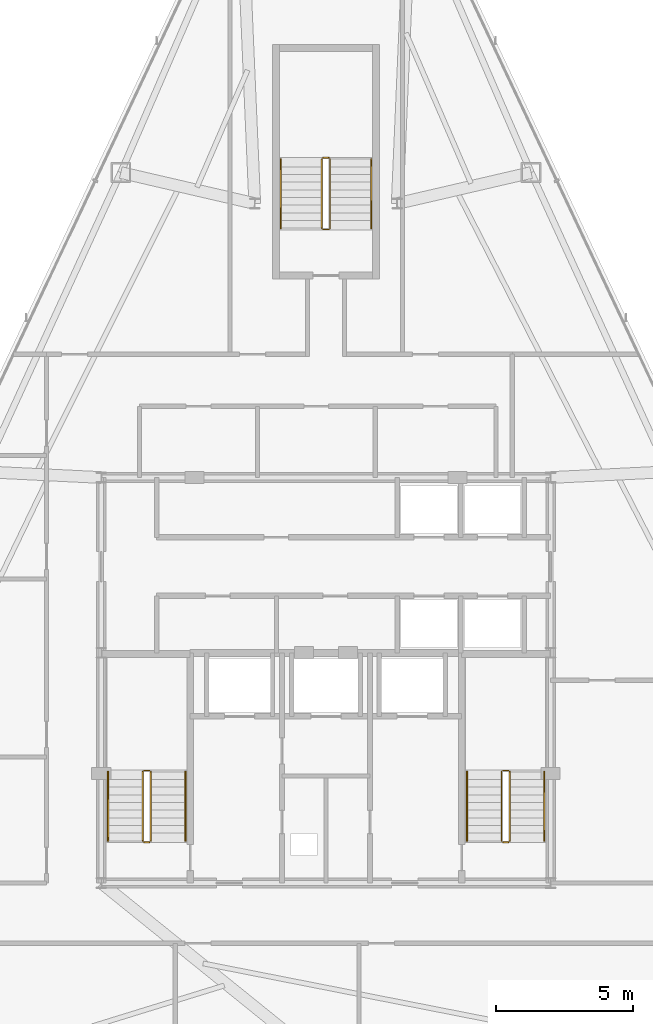
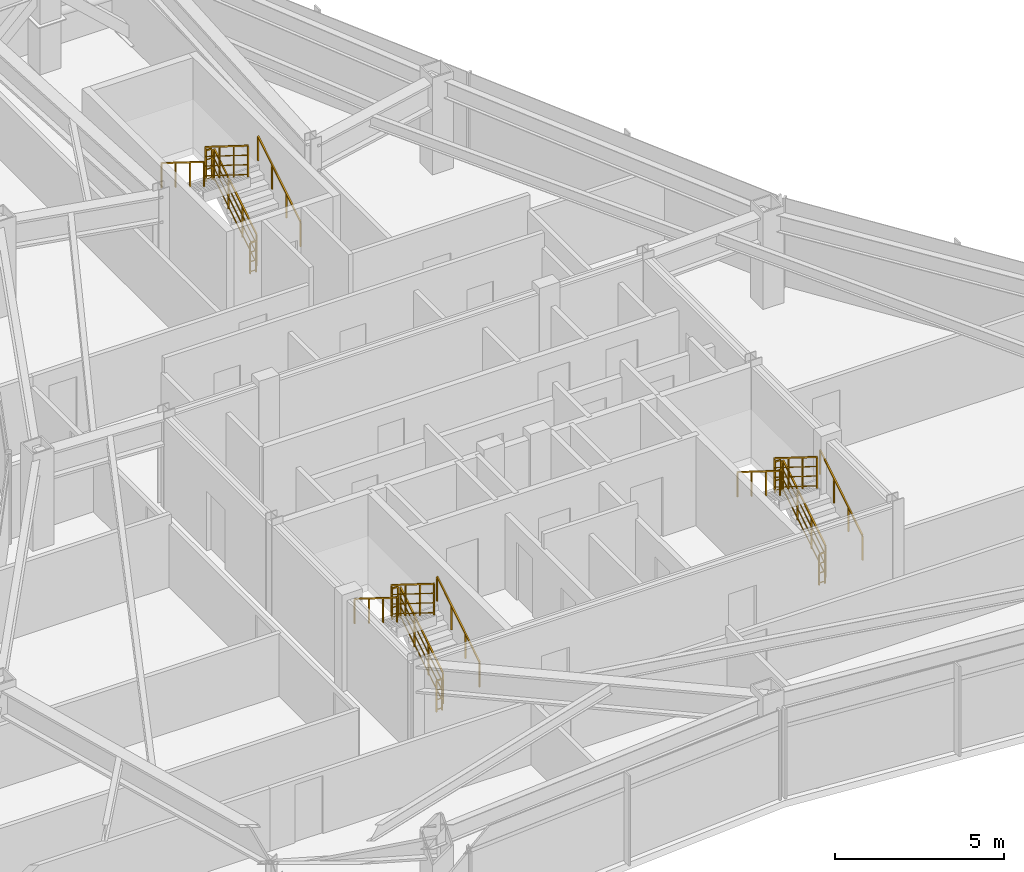
# One storey, part 12 of 12: 18 railings.
"""IFC4 building model written with IfcOpenShell, lengths in metres."""

from ifc_helpers import new_model, si_unit, direction, frame, origin, origin_2d, place, context, subcontext, project, spatial, rectangle, extrude, material, type_object, element, save


model = new_model("IFC4")

# Units and contexts
model_context = context("Model", 3, precision=1e-05, world=origin(), true_north=direction((0.0, 1.0)))
body_context = subcontext(model_context, "Body", "Model", "MODEL_VIEW")
ifc_project = project(units=[si_unit("LENGTHUNIT", "METRE"), si_unit("AREAUNIT", "SQUARE_METRE"), si_unit("VOLUMEUNIT", "CUBIC_METRE"), si_unit("PLANEANGLEUNIT", "RADIAN"), si_unit("MASSUNIT", "GRAM", prefix="KILO")], contexts=[model_context])

# Site, building, storey
site_placement = place(None, origin())
site = spatial("IfcSite", under=ifc_project, at=site_placement, CompositionType="ELEMENT")
building_placement = place(site_placement, origin())
building = spatial("IfcBuilding", under=site, at=building_placement, Name="Varakhsha Concourse Tower", CompositionType="ELEMENT")
storey_placement = place(building_placement, frame((0.0, 0.0, 232.89990234375)))
storey = spatial("IfcBuildingStorey", under=building, at=storey_placement, Name="L66", CompositionType="ELEMENT", Elevation=232.89990234375)

# Railings
ifc_material = material(Name="Brushed Austenitic Stainless Steel AISI 316", Category="steel")
railing_type_1 = type_object("IfcRailingType", Name="RL-STAIR-GUARD-1100", PredefinedType="GUARDRAIL", material=ifc_material)
railing_1_placement = place(storey_placement, frame((33.610107421875, 17.93994140625, 0.175048828125)))
element("IfcRailing", 1, at=railing_1_placement, inside=storey, type_object=railing_type_1, Name="L66 ST1 stair guard 1", PredefinedType="GUARDRAIL", context=body_context, shape_type="SweptSolid", body=[
    extrude(rectangle(XDim=0.048095703125, YDim=0.048095703125, at=origin_2d()), frame((0.0, 0.0, 1.1259765625), z_axis=(0.0, 0.848007534815, 0.529984170421), x_axis=(-1.0, 0.0, 0.0)), (0.0, 0.0, 1.0), 2.9716796875),
    extrude(rectangle(XDim=0.028076171875, YDim=0.028076171875, at=origin_2d()), frame((0.0, 0.0, 0.080078125), z_axis=(0.0, 0.848007534815, 0.529984170421), x_axis=(-1.0, 0.0, 0.0)), (0.0, 0.0, 1.0), 2.9716796875),
    extrude(rectangle(XDim=0.028076171875, YDim=0.028076171875, at=origin_2d()), frame((0.0, 0.0, 0.43701171875), z_axis=(0.0, 0.848007534815, 0.529984170421), x_axis=(-1.0, 0.0, 0.0)), (0.0, 0.0, 1.0), 2.9716796875),
    extrude(rectangle(XDim=0.028076171875, YDim=0.028076171875, at=origin_2d()), frame((0.0, 0.0, 0.781982421875), z_axis=(0.0, 0.848007534815, 0.529984170421), x_axis=(-1.0, 0.0, 0.0)), (0.0, 0.0, 1.0), 2.9716796875),
    extrude(rectangle(XDim=0.0419921875, YDim=0.0419921875, at=origin_2d()), origin(), (0.0, 0.0, 1.0), 1.101806640625),
    extrude(rectangle(XDim=0.0419921875, YDim=0.0419921875, at=origin_2d()), frame((0.0, 0.840087890625, 0.52490234375)), (0.0, 0.0, 1.0), 1.101806640625),
    extrude(rectangle(XDim=0.0419921875, YDim=0.0419921875, at=origin_2d()), frame((0.0, 1.679931640625, 1.050048828125)), (0.0, 0.0, 1.0), 1.101806640625),
    extrude(rectangle(XDim=0.0419921875, YDim=0.0419921875, at=origin_2d()), frame((0.0, 2.52001953125, 1.574951171875)), (0.0, 0.0, 1.0), 1.101806640625),
])
railing_2_placement = place(storey_placement, frame((33.56005859375, 20.510009765625, 1.75)))
element("IfcRailing", 2, at=railing_2_placement, inside=storey, type_object=railing_type_1, Name="L66 ST1 stair guard 2", PredefinedType="GUARDRAIL", context=body_context, shape_type="SweptSolid", body=[
    extrude(rectangle(XDim=0.048095703125, YDim=0.048095703125, at=origin_2d()), frame((0.0, 0.0, 1.1259765625), z_axis=(-1.0, 0.0, 0.0), x_axis=(0.0, -1.0, 0.0)), (0.0, 0.0, 1.0), 0.199951171875),
    extrude(rectangle(XDim=0.028076171875, YDim=0.028076171875, at=origin_2d()), frame((0.0, 0.0, 0.080078125), z_axis=(-1.0, 0.0, 0.0), x_axis=(0.0, -1.0, 0.0)), (0.0, 0.0, 1.0), 0.199951171875),
    extrude(rectangle(XDim=0.028076171875, YDim=0.028076171875, at=origin_2d()), frame((0.0, 0.0, 0.43701171875), z_axis=(-1.0, 0.0, 0.0), x_axis=(0.0, -1.0, 0.0)), (0.0, 0.0, 1.0), 0.199951171875),
    extrude(rectangle(XDim=0.028076171875, YDim=0.028076171875, at=origin_2d()), frame((0.0, 0.0, 0.781982421875), z_axis=(-1.0, 0.0, 0.0), x_axis=(0.0, -1.0, 0.0)), (0.0, 0.0, 1.0), 0.199951171875),
    extrude(rectangle(XDim=0.0419921875, YDim=0.0419921875, at=origin_2d()), origin(), (0.0, 0.0, 1.0), 1.101806640625),
    extrude(rectangle(XDim=0.0419921875, YDim=0.0419921875, at=origin_2d()), frame((-0.199951171875, 0.0, 0.0)), (0.0, 0.0, 1.0), 1.101806640625),
])
railing_3_placement = place(storey_placement, frame((33.31005859375, 20.4599609375, 1.925048828125)))
element("IfcRailing", 3, at=railing_3_placement, inside=storey, type_object=railing_type_1, Name="L66 ST1 stair guard 3", PredefinedType="GUARDRAIL", context=body_context, shape_type="SweptSolid", body=[
    extrude(rectangle(XDim=0.048095703125, YDim=0.048095703125, at=origin_2d()), frame((0.0, 0.0, 1.1259765625), z_axis=(0.0, -0.848007534815, 0.529984170421), x_axis=(1.0, 0.0, 0.0)), (0.0, 0.0, 1.0), 2.9716796875),
    extrude(rectangle(XDim=0.028076171875, YDim=0.028076171875, at=origin_2d()), frame((0.0, 0.0, 0.080078125), z_axis=(0.0, -0.848007534815, 0.529984170421), x_axis=(1.0, 0.0, 0.0)), (0.0, 0.0, 1.0), 2.9716796875),
    extrude(rectangle(XDim=0.028076171875, YDim=0.028076171875, at=origin_2d()), frame((0.0, 0.0, 0.43701171875), z_axis=(0.0, -0.848007534815, 0.529984170421), x_axis=(1.0, 0.0, 0.0)), (0.0, 0.0, 1.0), 2.9716796875),
    extrude(rectangle(XDim=0.028076171875, YDim=0.028076171875, at=origin_2d()), frame((0.0, 0.0, 0.781982421875), z_axis=(0.0, -0.848007534815, 0.529984170421), x_axis=(1.0, 0.0, 0.0)), (0.0, 0.0, 1.0), 2.9716796875),
    extrude(rectangle(XDim=0.0419921875, YDim=0.0419921875, at=origin_2d()), origin(), (0.0, 0.0, 1.0), 1.101806640625),
    extrude(rectangle(XDim=0.0419921875, YDim=0.0419921875, at=origin_2d()), frame((0.0, -0.840087890625, 0.52490234375)), (0.0, 0.0, 1.0), 1.101806640625),
    extrude(rectangle(XDim=0.0419921875, YDim=0.0419921875, at=origin_2d()), frame((0.0, -1.679931640625, 1.050048828125)), (0.0, 0.0, 1.0), 1.101806640625),
    extrude(rectangle(XDim=0.0419921875, YDim=0.0419921875, at=origin_2d()), frame((0.0, -2.52001953125, 1.574951171875)), (0.0, 0.0, 1.0), 1.101806640625),
])
railing_4_placement = place(storey_placement, frame((33.56005859375, 17.889892578125, 0.0)))
element("IfcRailing", 4, at=railing_4_placement, inside=storey, type_object=railing_type_1, Name="L66 ST1 stair guard 4", PredefinedType="GUARDRAIL", context=body_context, shape_type="SweptSolid", body=[
    extrude(rectangle(XDim=0.048095703125, YDim=0.048095703125, at=origin_2d()), frame((0.0, 0.0, 1.1259765625), z_axis=(-1.0, 0.0, 0.0), x_axis=(0.0, -1.0, 0.0)), (0.0, 0.0, 1.0), 0.199951171875),
    extrude(rectangle(XDim=0.028076171875, YDim=0.028076171875, at=origin_2d()), frame((0.0, 0.0, 0.080078125), z_axis=(-1.0, 0.0, 0.0), x_axis=(0.0, -1.0, 0.0)), (0.0, 0.0, 1.0), 0.199951171875),
    extrude(rectangle(XDim=0.028076171875, YDim=0.028076171875, at=origin_2d()), frame((0.0, 0.0, 0.43701171875), z_axis=(-1.0, 0.0, 0.0), x_axis=(0.0, -1.0, 0.0)), (0.0, 0.0, 1.0), 0.199951171875),
    extrude(rectangle(XDim=0.028076171875, YDim=0.028076171875, at=origin_2d()), frame((0.0, 0.0, 0.781982421875), z_axis=(-1.0, 0.0, 0.0), x_axis=(0.0, -1.0, 0.0)), (0.0, 0.0, 1.0), 0.199951171875),
    extrude(rectangle(XDim=0.0419921875, YDim=0.0419921875, at=origin_2d()), origin(), (0.0, 0.0, 1.0), 1.101806640625),
    extrude(rectangle(XDim=0.0419921875, YDim=0.0419921875, at=origin_2d()), frame((-0.199951171875, 0.0, 0.0)), (0.0, 0.0, 1.0), 1.101806640625),
])
railing_5_placement = place(storey_placement, frame((46.7099609375, 17.93994140625, 0.175048828125)))
element("IfcRailing", 5, at=railing_5_placement, inside=storey, type_object=railing_type_1, Name="L66 ST2 stair guard 1", PredefinedType="GUARDRAIL", context=body_context, shape_type="SweptSolid", body=[
    extrude(rectangle(XDim=0.048095703125, YDim=0.048095703125, at=origin_2d()), frame((0.0, 0.0, 1.1259765625), z_axis=(0.0, 0.848007534815, 0.529984170421), x_axis=(-1.0, 0.0, 0.0)), (0.0, 0.0, 1.0), 2.9716796875),
    extrude(rectangle(XDim=0.028076171875, YDim=0.028076171875, at=origin_2d()), frame((0.0, 0.0, 0.080078125), z_axis=(0.0, 0.848007534815, 0.529984170421), x_axis=(-1.0, 0.0, 0.0)), (0.0, 0.0, 1.0), 2.9716796875),
    extrude(rectangle(XDim=0.028076171875, YDim=0.028076171875, at=origin_2d()), frame((0.0, 0.0, 0.43701171875), z_axis=(0.0, 0.848007534815, 0.529984170421), x_axis=(-1.0, 0.0, 0.0)), (0.0, 0.0, 1.0), 2.9716796875),
    extrude(rectangle(XDim=0.028076171875, YDim=0.028076171875, at=origin_2d()), frame((0.0, 0.0, 0.781982421875), z_axis=(0.0, 0.848007534815, 0.529984170421), x_axis=(-1.0, 0.0, 0.0)), (0.0, 0.0, 1.0), 2.9716796875),
    extrude(rectangle(XDim=0.0419921875, YDim=0.0419921875, at=origin_2d()), origin(), (0.0, 0.0, 1.0), 1.101806640625),
    extrude(rectangle(XDim=0.0419921875, YDim=0.0419921875, at=origin_2d()), frame((0.0, 0.840087890625, 0.52490234375)), (0.0, 0.0, 1.0), 1.101806640625),
    extrude(rectangle(XDim=0.0419921875, YDim=0.0419921875, at=origin_2d()), frame((0.0, 1.679931640625, 1.050048828125)), (0.0, 0.0, 1.0), 1.101806640625),
    extrude(rectangle(XDim=0.0419921875, YDim=0.0419921875, at=origin_2d()), frame((0.0, 2.52001953125, 1.574951171875)), (0.0, 0.0, 1.0), 1.101806640625),
])
railing_6_placement = place(storey_placement, frame((46.659912109375, 20.510009765625, 1.75)))
element("IfcRailing", 6, at=railing_6_placement, inside=storey, type_object=railing_type_1, Name="L66 ST2 stair guard 2", PredefinedType="GUARDRAIL", context=body_context, shape_type="SweptSolid", body=[
    extrude(rectangle(XDim=0.048095703125, YDim=0.048095703125, at=origin_2d()), frame((0.0, 0.0, 1.1259765625), z_axis=(-1.0, 0.0, 0.0), x_axis=(0.0, -1.0, 0.0)), (0.0, 0.0, 1.0), 0.199951171875),
    extrude(rectangle(XDim=0.028076171875, YDim=0.028076171875, at=origin_2d()), frame((0.0, 0.0, 0.080078125), z_axis=(-1.0, 0.0, 0.0), x_axis=(0.0, -1.0, 0.0)), (0.0, 0.0, 1.0), 0.199951171875),
    extrude(rectangle(XDim=0.028076171875, YDim=0.028076171875, at=origin_2d()), frame((0.0, 0.0, 0.43701171875), z_axis=(-1.0, 0.0, 0.0), x_axis=(0.0, -1.0, 0.0)), (0.0, 0.0, 1.0), 0.199951171875),
    extrude(rectangle(XDim=0.028076171875, YDim=0.028076171875, at=origin_2d()), frame((0.0, 0.0, 0.781982421875), z_axis=(-1.0, 0.0, 0.0), x_axis=(0.0, -1.0, 0.0)), (0.0, 0.0, 1.0), 0.199951171875),
    extrude(rectangle(XDim=0.0419921875, YDim=0.0419921875, at=origin_2d()), origin(), (0.0, 0.0, 1.0), 1.101806640625),
    extrude(rectangle(XDim=0.0419921875, YDim=0.0419921875, at=origin_2d()), frame((-0.199951171875, 0.0, 0.0)), (0.0, 0.0, 1.0), 1.101806640625),
])
railing_7_placement = place(storey_placement, frame((46.409912109375, 20.4599609375, 1.925048828125)))
element("IfcRailing", 7, at=railing_7_placement, inside=storey, type_object=railing_type_1, Name="L66 ST2 stair guard 3", PredefinedType="GUARDRAIL", context=body_context, shape_type="SweptSolid", body=[
    extrude(rectangle(XDim=0.048095703125, YDim=0.048095703125, at=origin_2d()), frame((0.0, 0.0, 1.1259765625), z_axis=(0.0, -0.848007534815, 0.529984170421), x_axis=(1.0, 0.0, 0.0)), (0.0, 0.0, 1.0), 2.9716796875),
    extrude(rectangle(XDim=0.028076171875, YDim=0.028076171875, at=origin_2d()), frame((0.0, 0.0, 0.080078125), z_axis=(0.0, -0.848007534815, 0.529984170421), x_axis=(1.0, 0.0, 0.0)), (0.0, 0.0, 1.0), 2.9716796875),
    extrude(rectangle(XDim=0.028076171875, YDim=0.028076171875, at=origin_2d()), frame((0.0, 0.0, 0.43701171875), z_axis=(0.0, -0.848007534815, 0.529984170421), x_axis=(1.0, 0.0, 0.0)), (0.0, 0.0, 1.0), 2.9716796875),
    extrude(rectangle(XDim=0.028076171875, YDim=0.028076171875, at=origin_2d()), frame((0.0, 0.0, 0.781982421875), z_axis=(0.0, -0.848007534815, 0.529984170421), x_axis=(1.0, 0.0, 0.0)), (0.0, 0.0, 1.0), 2.9716796875),
    extrude(rectangle(XDim=0.0419921875, YDim=0.0419921875, at=origin_2d()), origin(), (0.0, 0.0, 1.0), 1.101806640625),
    extrude(rectangle(XDim=0.0419921875, YDim=0.0419921875, at=origin_2d()), frame((0.0, -0.840087890625, 0.52490234375)), (0.0, 0.0, 1.0), 1.101806640625),
    extrude(rectangle(XDim=0.0419921875, YDim=0.0419921875, at=origin_2d()), frame((0.0, -1.679931640625, 1.050048828125)), (0.0, 0.0, 1.0), 1.101806640625),
    extrude(rectangle(XDim=0.0419921875, YDim=0.0419921875, at=origin_2d()), frame((0.0, -2.52001953125, 1.574951171875)), (0.0, 0.0, 1.0), 1.101806640625),
])
railing_8_placement = place(storey_placement, frame((46.659912109375, 17.889892578125, 0.0)))
element("IfcRailing", 8, at=railing_8_placement, inside=storey, type_object=railing_type_1, Name="L66 ST2 stair guard 4", PredefinedType="GUARDRAIL", context=body_context, shape_type="SweptSolid", body=[
    extrude(rectangle(XDim=0.048095703125, YDim=0.048095703125, at=origin_2d()), frame((0.0, 0.0, 1.1259765625), z_axis=(-1.0, 0.0, 0.0), x_axis=(0.0, -1.0, 0.0)), (0.0, 0.0, 1.0), 0.199951171875),
    extrude(rectangle(XDim=0.028076171875, YDim=0.028076171875, at=origin_2d()), frame((0.0, 0.0, 0.080078125), z_axis=(-1.0, 0.0, 0.0), x_axis=(0.0, -1.0, 0.0)), (0.0, 0.0, 1.0), 0.199951171875),
    extrude(rectangle(XDim=0.028076171875, YDim=0.028076171875, at=origin_2d()), frame((0.0, 0.0, 0.43701171875), z_axis=(-1.0, 0.0, 0.0), x_axis=(0.0, -1.0, 0.0)), (0.0, 0.0, 1.0), 0.199951171875),
    extrude(rectangle(XDim=0.028076171875, YDim=0.028076171875, at=origin_2d()), frame((0.0, 0.0, 0.781982421875), z_axis=(-1.0, 0.0, 0.0), x_axis=(0.0, -1.0, 0.0)), (0.0, 0.0, 1.0), 0.199951171875),
    extrude(rectangle(XDim=0.0419921875, YDim=0.0419921875, at=origin_2d()), origin(), (0.0, 0.0, 1.0), 1.101806640625),
    extrude(rectangle(XDim=0.0419921875, YDim=0.0419921875, at=origin_2d()), frame((-0.199951171875, 0.0, 0.0)), (0.0, 0.0, 1.0), 1.101806640625),
])
railing_9_placement = place(storey_placement, frame((40.14990234375, 40.300048828125, 0.175048828125)))
element("IfcRailing", 9, at=railing_9_placement, inside=storey, type_object=railing_type_1, Name="L66 ST5 stair guard 1", PredefinedType="GUARDRAIL", context=body_context, shape_type="SweptSolid", body=[
    extrude(rectangle(XDim=0.048095703125, YDim=0.048095703125, at=origin_2d()), frame((0.0, 0.0, 1.1259765625), z_axis=(0.0, 0.848007534815, 0.529984170421), x_axis=(-1.0, 0.0, 0.0)), (0.0, 0.0, 1.0), 2.9716796875),
    extrude(rectangle(XDim=0.028076171875, YDim=0.028076171875, at=origin_2d()), frame((0.0, 0.0, 0.080078125), z_axis=(0.0, 0.848007534815, 0.529984170421), x_axis=(-1.0, 0.0, 0.0)), (0.0, 0.0, 1.0), 2.9716796875),
    extrude(rectangle(XDim=0.028076171875, YDim=0.028076171875, at=origin_2d()), frame((0.0, 0.0, 0.43701171875), z_axis=(0.0, 0.848007534815, 0.529984170421), x_axis=(-1.0, 0.0, 0.0)), (0.0, 0.0, 1.0), 2.9716796875),
    extrude(rectangle(XDim=0.028076171875, YDim=0.028076171875, at=origin_2d()), frame((0.0, 0.0, 0.781982421875), z_axis=(0.0, 0.848007534815, 0.529984170421), x_axis=(-1.0, 0.0, 0.0)), (0.0, 0.0, 1.0), 2.9716796875),
    extrude(rectangle(XDim=0.0419921875, YDim=0.0419921875, at=origin_2d()), origin(), (0.0, 0.0, 1.0), 1.101806640625),
    extrude(rectangle(XDim=0.0419921875, YDim=0.0419921875, at=origin_2d()), frame((0.0, 0.840087890625, 0.52490234375)), (0.0, 0.0, 1.0), 1.101806640625),
    extrude(rectangle(XDim=0.0419921875, YDim=0.0419921875, at=origin_2d()), frame((0.0, 1.679931640625, 1.050048828125)), (0.0, 0.0, 1.0), 1.101806640625),
    extrude(rectangle(XDim=0.0419921875, YDim=0.0419921875, at=origin_2d()), frame((0.0, 2.52001953125, 1.574951171875)), (0.0, 0.0, 1.0), 1.101806640625),
])
railing_10_placement = place(storey_placement, frame((40.10009765625, 42.8701171875, 1.75)))
element("IfcRailing", 10, at=railing_10_placement, inside=storey, type_object=railing_type_1, Name="L66 ST5 stair guard 2", PredefinedType="GUARDRAIL", context=body_context, shape_type="SweptSolid", body=[
    extrude(rectangle(XDim=0.048095703125, YDim=0.048095703125, at=origin_2d()), frame((0.0, 0.0, 1.1259765625), z_axis=(-1.0, 0.0, 0.0), x_axis=(0.0, -1.0, 0.0)), (0.0, 0.0, 1.0), 0.2001953125),
    extrude(rectangle(XDim=0.028076171875, YDim=0.028076171875, at=origin_2d()), frame((0.0, 0.0, 0.080078125), z_axis=(-1.0, 0.0, 0.0), x_axis=(0.0, -1.0, 0.0)), (0.0, 0.0, 1.0), 0.2001953125),
    extrude(rectangle(XDim=0.028076171875, YDim=0.028076171875, at=origin_2d()), frame((0.0, 0.0, 0.43701171875), z_axis=(-1.0, 0.0, 0.0), x_axis=(0.0, -1.0, 0.0)), (0.0, 0.0, 1.0), 0.2001953125),
    extrude(rectangle(XDim=0.028076171875, YDim=0.028076171875, at=origin_2d()), frame((0.0, 0.0, 0.781982421875), z_axis=(-1.0, 0.0, 0.0), x_axis=(0.0, -1.0, 0.0)), (0.0, 0.0, 1.0), 0.2001953125),
    extrude(rectangle(XDim=0.0419921875, YDim=0.0419921875, at=origin_2d()), origin(), (0.0, 0.0, 1.0), 1.101806640625),
    extrude(rectangle(XDim=0.0419921875, YDim=0.0419921875, at=origin_2d()), frame((-0.2001953125, 0.0, 0.0)), (0.0, 0.0, 1.0), 1.101806640625),
])
railing_11_placement = place(storey_placement, frame((39.85009765625, 42.820068359375, 1.925048828125)))
element("IfcRailing", 11, at=railing_11_placement, inside=storey, type_object=railing_type_1, Name="L66 ST5 stair guard 3", PredefinedType="GUARDRAIL", context=body_context, shape_type="SweptSolid", body=[
    extrude(rectangle(XDim=0.048095703125, YDim=0.048095703125, at=origin_2d()), frame((0.0, 0.0, 1.1259765625), z_axis=(0.0, -0.848007534815, 0.529984170421), x_axis=(1.0, 0.0, 0.0)), (0.0, 0.0, 1.0), 2.9716796875),
    extrude(rectangle(XDim=0.028076171875, YDim=0.028076171875, at=origin_2d()), frame((0.0, 0.0, 0.080078125), z_axis=(0.0, -0.848007534815, 0.529984170421), x_axis=(1.0, 0.0, 0.0)), (0.0, 0.0, 1.0), 2.9716796875),
    extrude(rectangle(XDim=0.028076171875, YDim=0.028076171875, at=origin_2d()), frame((0.0, 0.0, 0.43701171875), z_axis=(0.0, -0.848007534815, 0.529984170421), x_axis=(1.0, 0.0, 0.0)), (0.0, 0.0, 1.0), 2.9716796875),
    extrude(rectangle(XDim=0.028076171875, YDim=0.028076171875, at=origin_2d()), frame((0.0, 0.0, 0.781982421875), z_axis=(0.0, -0.848007534815, 0.529984170421), x_axis=(1.0, 0.0, 0.0)), (0.0, 0.0, 1.0), 2.9716796875),
    extrude(rectangle(XDim=0.0419921875, YDim=0.0419921875, at=origin_2d()), origin(), (0.0, 0.0, 1.0), 1.101806640625),
    extrude(rectangle(XDim=0.0419921875, YDim=0.0419921875, at=origin_2d()), frame((0.0, -0.840087890625, 0.52490234375)), (0.0, 0.0, 1.0), 1.101806640625),
    extrude(rectangle(XDim=0.0419921875, YDim=0.0419921875, at=origin_2d()), frame((0.0, -1.679931640625, 1.050048828125)), (0.0, 0.0, 1.0), 1.101806640625),
    extrude(rectangle(XDim=0.0419921875, YDim=0.0419921875, at=origin_2d()), frame((0.0, -2.52001953125, 1.574951171875)), (0.0, 0.0, 1.0), 1.101806640625),
])
railing_12_placement = place(storey_placement, frame((40.10009765625, 40.25, 0.0)))
element("IfcRailing", 12, at=railing_12_placement, inside=storey, type_object=railing_type_1, Name="L66 ST5 stair guard 4", PredefinedType="GUARDRAIL", context=body_context, shape_type="SweptSolid", body=[
    extrude(rectangle(XDim=0.048095703125, YDim=0.048095703125, at=origin_2d()), frame((0.0, 0.0, 1.1259765625), z_axis=(-1.0, 0.0, 0.0), x_axis=(0.0, -1.0, 0.0)), (0.0, 0.0, 1.0), 0.2001953125),
    extrude(rectangle(XDim=0.028076171875, YDim=0.028076171875, at=origin_2d()), frame((0.0, 0.0, 0.080078125), z_axis=(-1.0, 0.0, 0.0), x_axis=(0.0, -1.0, 0.0)), (0.0, 0.0, 1.0), 0.2001953125),
    extrude(rectangle(XDim=0.028076171875, YDim=0.028076171875, at=origin_2d()), frame((0.0, 0.0, 0.43701171875), z_axis=(-1.0, 0.0, 0.0), x_axis=(0.0, -1.0, 0.0)), (0.0, 0.0, 1.0), 0.2001953125),
    extrude(rectangle(XDim=0.028076171875, YDim=0.028076171875, at=origin_2d()), frame((0.0, 0.0, 0.781982421875), z_axis=(-1.0, 0.0, 0.0), x_axis=(0.0, -1.0, 0.0)), (0.0, 0.0, 1.0), 0.2001953125),
    extrude(rectangle(XDim=0.0419921875, YDim=0.0419921875, at=origin_2d()), origin(), (0.0, 0.0, 1.0), 1.101806640625),
    extrude(rectangle(XDim=0.0419921875, YDim=0.0419921875, at=origin_2d()), frame((-0.2001953125, 0.0, 0.0)), (0.0, 0.0, 1.0), 1.101806640625),
])
railing_type_2 = type_object("IfcRailingType", Name="RL-STAIR-RAIL-915", PredefinedType="HANDRAIL", material=ifc_material)
railing_13_placement = place(storey_placement, frame((34.8701171875, 17.93994140625, 0.35009765625)))
element("IfcRailing", 13, at=railing_13_placement, inside=storey, type_object=railing_type_2, Name="L66 ST1 stair handrail 1", PredefinedType="HANDRAIL", context=body_context, shape_type="SweptSolid", body=[
    extrude(rectangle(XDim=0.048095703125, YDim=0.048095703125, at=origin_2d()), frame((0.0, 0.0, 0.89111328125), z_axis=(0.0, 0.848007534815, 0.529984170421), x_axis=(-1.0, 0.0, 0.0)), (0.0, 0.0, 1.0), 2.9716796875),
    extrude(rectangle(XDim=0.0419921875, YDim=0.0419921875, at=origin_2d()), origin(), (0.0, 0.0, 1.0), 0.866943359375),
    extrude(rectangle(XDim=0.0419921875, YDim=0.0419921875, at=origin_2d()), frame((0.0, 0.840087890625, 0.52490234375)), (0.0, 0.0, 1.0), 0.866943359375),
    extrude(rectangle(XDim=0.0419921875, YDim=0.0419921875, at=origin_2d()), frame((0.0, 1.679931640625, 1.050048828125)), (0.0, 0.0, 1.0), 0.866943359375),
    extrude(rectangle(XDim=0.0419921875, YDim=0.0419921875, at=origin_2d()), frame((0.0, 2.52001953125, 1.574951171875)), (0.0, 0.0, 1.0), 0.866943359375),
])
railing_14_placement = place(storey_placement, frame((32.050048828125, 20.4599609375, 2.10009765625)))
element("IfcRailing", 14, at=railing_14_placement, inside=storey, type_object=railing_type_2, Name="L66 ST1 stair handrail 2", PredefinedType="HANDRAIL", context=body_context, shape_type="SweptSolid", body=[
    extrude(rectangle(XDim=0.048095703125, YDim=0.048095703125, at=origin_2d()), frame((0.0, 0.0, 0.89111328125), z_axis=(0.0, -0.848007534815, 0.529984170421), x_axis=(1.0, 0.0, 0.0)), (0.0, 0.0, 1.0), 2.9716796875),
    extrude(rectangle(XDim=0.0419921875, YDim=0.0419921875, at=origin_2d()), origin(), (0.0, 0.0, 1.0), 0.866943359375),
    extrude(rectangle(XDim=0.0419921875, YDim=0.0419921875, at=origin_2d()), frame((0.0, -0.840087890625, 0.52490234375)), (0.0, 0.0, 1.0), 0.866943359375),
    extrude(rectangle(XDim=0.0419921875, YDim=0.0419921875, at=origin_2d()), frame((0.0, -1.679931640625, 1.050048828125)), (0.0, 0.0, 1.0), 0.866943359375),
    extrude(rectangle(XDim=0.0419921875, YDim=0.0419921875, at=origin_2d()), frame((0.0, -2.52001953125, 1.574951171875)), (0.0, 0.0, 1.0), 0.866943359375),
])
railing_15_placement = place(storey_placement, frame((47.969970703125, 17.93994140625, 0.35009765625)))
element("IfcRailing", 15, at=railing_15_placement, inside=storey, type_object=railing_type_2, Name="L66 ST2 stair handrail 1", PredefinedType="HANDRAIL", context=body_context, shape_type="SweptSolid", body=[
    extrude(rectangle(XDim=0.048095703125, YDim=0.048095703125, at=origin_2d()), frame((0.0, 0.0, 0.89111328125), z_axis=(0.0, 0.848007534815, 0.529984170421), x_axis=(-1.0, 0.0, 0.0)), (0.0, 0.0, 1.0), 2.9716796875),
    extrude(rectangle(XDim=0.0419921875, YDim=0.0419921875, at=origin_2d()), origin(), (0.0, 0.0, 1.0), 0.866943359375),
    extrude(rectangle(XDim=0.0419921875, YDim=0.0419921875, at=origin_2d()), frame((0.0, 0.840087890625, 0.52490234375)), (0.0, 0.0, 1.0), 0.866943359375),
    extrude(rectangle(XDim=0.0419921875, YDim=0.0419921875, at=origin_2d()), frame((0.0, 1.679931640625, 1.050048828125)), (0.0, 0.0, 1.0), 0.866943359375),
    extrude(rectangle(XDim=0.0419921875, YDim=0.0419921875, at=origin_2d()), frame((0.0, 2.52001953125, 1.574951171875)), (0.0, 0.0, 1.0), 0.866943359375),
])
railing_16_placement = place(storey_placement, frame((45.14990234375, 20.4599609375, 2.10009765625)))
element("IfcRailing", 16, at=railing_16_placement, inside=storey, type_object=railing_type_2, Name="L66 ST2 stair handrail 2", PredefinedType="HANDRAIL", context=body_context, shape_type="SweptSolid", body=[
    extrude(rectangle(XDim=0.048095703125, YDim=0.048095703125, at=origin_2d()), frame((0.0, 0.0, 0.89111328125), z_axis=(0.0, -0.848007534815, 0.529984170421), x_axis=(1.0, 0.0, 0.0)), (0.0, 0.0, 1.0), 2.9716796875),
    extrude(rectangle(XDim=0.0419921875, YDim=0.0419921875, at=origin_2d()), origin(), (0.0, 0.0, 1.0), 0.866943359375),
    extrude(rectangle(XDim=0.0419921875, YDim=0.0419921875, at=origin_2d()), frame((0.0, -0.840087890625, 0.52490234375)), (0.0, 0.0, 1.0), 0.866943359375),
    extrude(rectangle(XDim=0.0419921875, YDim=0.0419921875, at=origin_2d()), frame((0.0, -1.679931640625, 1.050048828125)), (0.0, 0.0, 1.0), 0.866943359375),
    extrude(rectangle(XDim=0.0419921875, YDim=0.0419921875, at=origin_2d()), frame((0.0, -2.52001953125, 1.574951171875)), (0.0, 0.0, 1.0), 0.866943359375),
])
railing_17_placement = place(storey_placement, frame((41.64990234375, 40.300048828125, 0.35009765625)))
element("IfcRailing", 17, at=railing_17_placement, inside=storey, type_object=railing_type_2, Name="L66 ST5 stair handrail 1", PredefinedType="HANDRAIL", context=body_context, shape_type="SweptSolid", body=[
    extrude(rectangle(XDim=0.048095703125, YDim=0.048095703125, at=origin_2d()), frame((0.0, 0.0, 0.89111328125), z_axis=(0.0, 0.848007534815, 0.529984170421), x_axis=(-1.0, 0.0, 0.0)), (0.0, 0.0, 1.0), 2.9716796875),
    extrude(rectangle(XDim=0.0419921875, YDim=0.0419921875, at=origin_2d()), origin(), (0.0, 0.0, 1.0), 0.866943359375),
    extrude(rectangle(XDim=0.0419921875, YDim=0.0419921875, at=origin_2d()), frame((0.0, 0.840087890625, 0.52490234375)), (0.0, 0.0, 1.0), 0.866943359375),
    extrude(rectangle(XDim=0.0419921875, YDim=0.0419921875, at=origin_2d()), frame((0.0, 1.679931640625, 1.050048828125)), (0.0, 0.0, 1.0), 0.866943359375),
    extrude(rectangle(XDim=0.0419921875, YDim=0.0419921875, at=origin_2d()), frame((0.0, 2.52001953125, 1.574951171875)), (0.0, 0.0, 1.0), 0.866943359375),
])
railing_18_placement = place(storey_placement, frame((38.35009765625, 42.820068359375, 2.10009765625)))
element("IfcRailing", 18, at=railing_18_placement, inside=storey, type_object=railing_type_2, Name="L66 ST5 stair handrail 2", PredefinedType="HANDRAIL", context=body_context, shape_type="SweptSolid", body=[
    extrude(rectangle(XDim=0.048095703125, YDim=0.048095703125, at=origin_2d()), frame((0.0, 0.0, 0.89111328125), z_axis=(0.0, -0.848007534815, 0.529984170421), x_axis=(1.0, 0.0, 0.0)), (0.0, 0.0, 1.0), 2.9716796875),
    extrude(rectangle(XDim=0.0419921875, YDim=0.0419921875, at=origin_2d()), origin(), (0.0, 0.0, 1.0), 0.866943359375),
    extrude(rectangle(XDim=0.0419921875, YDim=0.0419921875, at=origin_2d()), frame((0.0, -0.840087890625, 0.52490234375)), (0.0, 0.0, 1.0), 0.866943359375),
    extrude(rectangle(XDim=0.0419921875, YDim=0.0419921875, at=origin_2d()), frame((0.0, -1.679931640625, 1.050048828125)), (0.0, 0.0, 1.0), 0.866943359375),
    extrude(rectangle(XDim=0.0419921875, YDim=0.0419921875, at=origin_2d()), frame((0.0, -2.52001953125, 1.574951171875)), (0.0, 0.0, 1.0), 0.866943359375),
])

save(model, "model.ifc")
